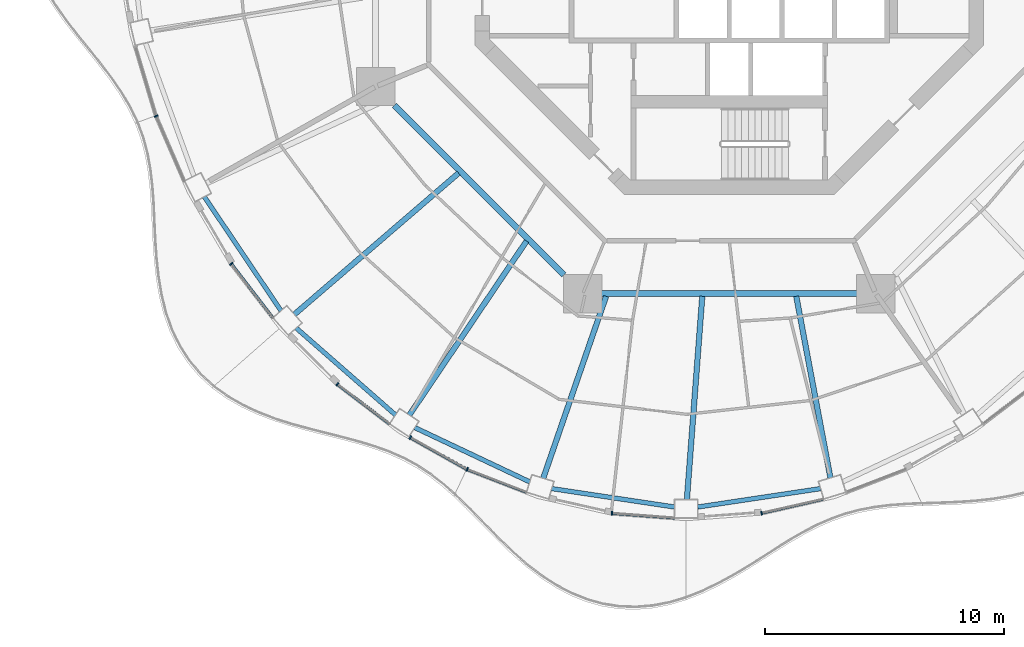
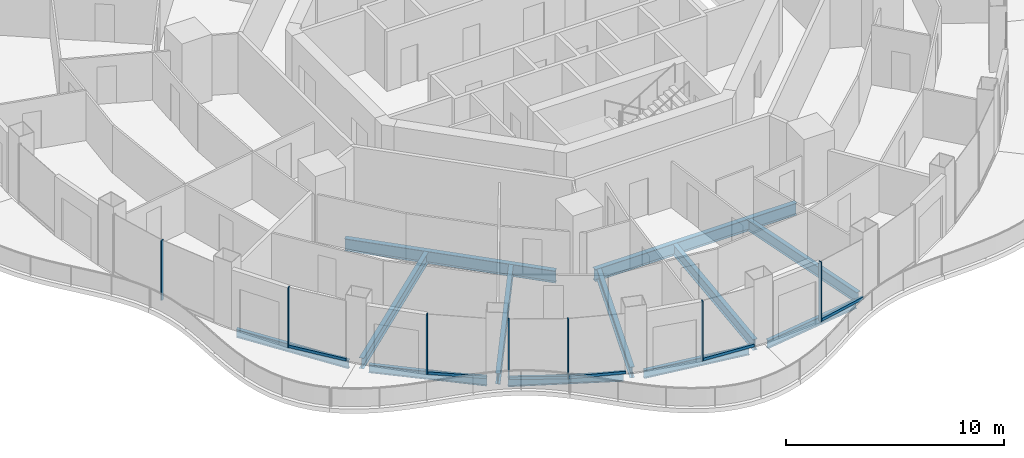
# One storey, part 2 of 18: 13 members, 12 beams, 7 elements without a shape of their own.
"""IFC4 building model written with IfcOpenShell, lengths in metres."""

from ifc_helpers import new_model, si_unit, direction, frame, origin, origin_2d, place, context, subcontext, project, spatial, rectangle, i_section, extrude, material, layer, layer_set, material_profile, profile_set, type_object, element, aggregate, save


model = new_model("IFC4")

# Units and contexts
model_context = context("Model", 3, precision=1e-05, world=origin(), true_north=direction((0.0, 1.0)))
body_context = subcontext(model_context, "Body", "Model", "MODEL_VIEW")
ifc_project = project(units=[si_unit("LENGTHUNIT", "METRE"), si_unit("AREAUNIT", "SQUARE_METRE"), si_unit("VOLUMEUNIT", "CUBIC_METRE"), si_unit("PLANEANGLEUNIT", "RADIAN"), si_unit("MASSUNIT", "GRAM", prefix="KILO")], contexts=[model_context])

# Site, building, storey
site_placement = place(None, origin())
site = spatial("IfcSite", under=ifc_project, at=site_placement, CompositionType="ELEMENT")
building_placement = place(site_placement, origin())
building = spatial("IfcBuilding", under=site, at=building_placement, Name="Nagisa Residences", CompositionType="ELEMENT")
storey_placement = place(building_placement, frame((0.0, 0.0, 249.199951171875)))
storey = spatial("IfcBuildingStorey", under=building, at=storey_placement, Name="L63", CompositionType="ELEMENT", Elevation=249.199951171875)

# Curtain wall, member
ifc_material_1 = material(Name="Concrete-coloured aluminium curtain wall system", Category="concrete")
ifc_layer = layer(ifc_material_1, 0.159912109375)
ifc_layer_set = layer_set([ifc_layer], Name="CW1 CURTAIN WALL")
curtain_wall_type = type_object("IfcCurtainWallType", Name="CW1 CURTAIN WALL", PredefinedType="NOTDEFINED", material=ifc_layer_set)
curtain_wall_1_placement = place(storey_placement, origin())
curtain_wall_1 = element("IfcCurtainWall", 1, at=curtain_wall_1_placement, inside=storey, type_object=curtain_wall_type, Name="cw:CW1:L63:27", PredefinedType="NOTDEFINED")
ifc_material_2 = material(Name="Concrete-coloured aluminium", Category="concrete")
ifc_material_profile_1 = material_profile(ifc_material_2, rectangle(XDim=0.159912109375, YDim=0.06005859375, at=origin_2d()), Name="CW1 MULLION 160x60")
ifc_profile_set_1 = profile_set([ifc_material_profile_1], Name="Concrete-coloured aluminium")
member_type_1 = type_object("IfcMemberType", Name="CW1 MULLION 160x60", PredefinedType="MULLION", material=ifc_profile_set_1)
member_1_placement = place(storey_placement, frame((-23.952392578125, -7.359619140625, 0.0), z_axis=(0.0, 0.0, 1.0), x_axis=(0.917543276295, 0.397635934147, 0.0)))
member_1 = element("IfcMember", 2, at=member_1_placement, type_object=member_type_1, Name="CW1 mullion", PredefinedType="MULLION", context=body_context, shape_type="SweptSolid", body=[
    extrude(rectangle(XDim=0.159912109375, YDim=0.06005859375, at=origin_2d()), origin(), (0.0, 0.0, 1.0), 3.35009765625),
])
aggregate(curtain_wall_1, [member_1])

curtain_wall_2_placement = place(storey_placement, origin())
curtain_wall_2 = element("IfcCurtainWall", 3, at=curtain_wall_2_placement, inside=storey, type_object=curtain_wall_type, Name="cw:CW1:L63:29", PredefinedType="NOTDEFINED")
member_2_placement = place(storey_placement, frame((-20.814453125, -13.53125, 0.0), z_axis=(0.0, 0.0, 1.0), x_axis=(0.792070340816, 0.610429828235, 0.0)))
member_2 = element("IfcMember", 4, at=member_2_placement, type_object=member_type_1, Name="CW1 mullion", PredefinedType="MULLION", context=body_context, shape_type="SweptSolid", body=[
    extrude(rectangle(XDim=0.159912109375, YDim=0.06005859375, at=origin_2d()), origin(), (0.0, 0.0, 1.0), 3.35009765625),
])

curtain_wall_3_placement = place(storey_placement, origin())
curtain_wall_3 = element("IfcCurtainWall", 5, at=curtain_wall_3_placement, inside=storey, type_object=curtain_wall_type, Name="cw:CW1:L63:31", PredefinedType="NOTDEFINED")
member_3_placement = place(storey_placement, frame((-16.380615234375, -18.566650390625, 0.0), z_axis=(0.0, 0.0, 1.0), x_axis=(0.605255421737, 0.79603132756, 0.0)))
member_3 = element("IfcMember", 6, at=member_3_placement, type_object=member_type_1, Name="CW1 mullion", PredefinedType="MULLION", context=body_context, shape_type="SweptSolid", body=[
    extrude(rectangle(XDim=0.159912109375, YDim=0.06005859375, at=origin_2d()), origin(), (0.0, 0.0, 1.0), 3.35009765625),
])

curtain_wall_4_placement = place(storey_placement, origin())
curtain_wall_4 = element("IfcCurtainWall", 7, at=curtain_wall_4_placement, inside=storey, type_object=curtain_wall_type, Name="cw:CW1:L63:32", PredefinedType="NOTDEFINED")
member_4_placement = place(storey_placement, frame((-13.333740234375, -20.792236328125, 0.0), z_axis=(0.0, 0.0, 1.0), x_axis=(0.489376918501, 0.872072377523, 0.0)))
member_4 = element("IfcMember", 8, at=member_4_placement, type_object=member_type_1, Name="CW1 mullion", PredefinedType="MULLION", context=body_context, shape_type="SweptSolid", body=[
    extrude(rectangle(XDim=0.159912109375, YDim=0.06005859375, at=origin_2d()), origin(), (0.0, 0.0, 1.0), 3.35009765625),
])

curtain_wall_5_placement = place(storey_placement, origin())
curtain_wall_5 = element("IfcCurtainWall", 9, at=curtain_wall_5_placement, inside=storey, type_object=curtain_wall_type, Name="cw:CW1:L63:33", PredefinedType="NOTDEFINED")
member_5_placement = place(storey_placement, frame((-10.954345703125, -22.12353515625, 0.0), z_axis=(0.0, 0.0, 1.0), x_axis=(0.360327770268, 0.932825759707, 0.0)))
member_5 = element("IfcMember", 10, at=member_5_placement, type_object=member_type_1, Name="CW1 mullion", PredefinedType="MULLION", context=body_context, shape_type="SweptSolid", body=[
    extrude(rectangle(XDim=0.159912109375, YDim=0.06005859375, at=origin_2d()), origin(), (0.0, 0.0, 1.0), 3.35009765625),
])

curtain_wall_6_placement = place(storey_placement, origin())
curtain_wall_6 = element("IfcCurtainWall", 11, at=curtain_wall_6_placement, inside=storey, type_object=curtain_wall_type, Name="cw:CW1:L63:35", PredefinedType="NOTDEFINED")
member_6_placement = place(storey_placement, frame((-4.906005859375, -23.96044921875, 0.0), z_axis=(0.0, 0.0, 1.0), x_axis=(0.074377355493, 0.997230168512, 0.0)))
member_6 = element("IfcMember", 12, at=member_6_placement, type_object=member_type_1, Name="CW1 mullion", PredefinedType="MULLION", context=body_context, shape_type="SweptSolid", body=[
    extrude(rectangle(XDim=0.159912109375, YDim=0.06005859375, at=origin_2d()), origin(), (0.0, 0.0, 1.0), 3.35009765625),
])

curtain_wall_7_placement = place(storey_placement, origin())
curtain_wall_7 = element("IfcCurtainWall", 13, at=curtain_wall_7_placement, inside=storey, type_object=curtain_wall_type, Name="cw:CW1:L63:37", PredefinedType="NOTDEFINED")
member_7_placement = place(storey_placement, frame((1.353271484375, -23.953369140625, 0.0), z_axis=(0.0, 0.0, 1.0), x_axis=(-0.2207639201, 0.975327274089, 0.0)))
member_7 = element("IfcMember", 14, at=member_7_placement, type_object=member_type_1, Name="CW1 mullion", PredefinedType="MULLION", context=body_context, shape_type="SweptSolid", body=[
    extrude(rectangle(XDim=0.159912109375, YDim=0.06005859375, at=origin_2d()), origin(), (0.0, 0.0, 1.0), 3.35009765625),
])

# Member
ifc_material_3 = material(Name="Concrete-coloured aluminium", Category="concrete")
ifc_material_profile_2 = material_profile(ifc_material_3, rectangle(XDim=0.1201171875, YDim=0.14990234375, at=origin_2d()), Name="CW1 TRANSOM 120x150")
ifc_profile_set_2 = profile_set([ifc_material_profile_2], Name="Concrete-coloured aluminium")
member_type_2 = type_object("IfcMemberType", Name="CW1 TRANSOM 120x150", PredefinedType="USERDEFINED", material=ifc_profile_set_2)
member_8_placement = place(storey_placement, frame((-20.832763671875, -13.507568359375, 0.074951171875), z_axis=(0.610438565676, -0.792063607001, 0.0), x_axis=(0.792063607001, 0.610438565676, 0.0)))
member_8 = element("IfcMember", 15, at=member_8_placement, type_object=member_type_2, Name="CW1 transom", ObjectType="TRANSOM", PredefinedType="USERDEFINED", context=body_context, shape_type="SweptSolid", body=[
    extrude(rectangle(XDim=0.1201171875, YDim=0.14990234375, at=origin_2d()), origin(), (0.0, 0.0, 1.0), 2.90087890625),
])

aggregate(curtain_wall_2, [member_2, member_8])

member_9_placement = place(storey_placement, frame((-16.404541015625, -18.548583984375, 0.074951171875), z_axis=(0.796064337132, -0.605212005124, 0.0), x_axis=(0.605212005124, 0.796064337132, 0.0)))
member_9 = element("IfcMember", 16, at=member_9_placement, type_object=member_type_2, Name="CW1 transom", ObjectType="TRANSOM", PredefinedType="USERDEFINED", context=body_context, shape_type="SweptSolid", body=[
    extrude(rectangle(XDim=0.1201171875, YDim=0.14990234375, at=origin_2d()), origin(), (0.0, 0.0, 1.0), 2.78857421875),
])

aggregate(curtain_wall_3, [member_3, member_9])

member_10_placement = place(storey_placement, frame((-13.35986328125, -20.777587890625, 0.074951171875), z_axis=(0.872063230277, -0.489393218586, 0.0), x_axis=(0.489393218586, 0.872063230277, 0.0)))
member_10 = element("IfcMember", 17, at=member_10_placement, type_object=member_type_2, Name="CW1 transom", ObjectType="TRANSOM", PredefinedType="USERDEFINED", context=body_context, shape_type="SweptSolid", body=[
    extrude(rectangle(XDim=0.1201171875, YDim=0.14990234375, at=origin_2d()), origin(), (0.0, 0.0, 1.0), 2.73828125),
])

aggregate(curtain_wall_4, [member_4, member_10])

member_11_placement = place(storey_placement, frame((-10.982421875, -22.11279296875, 0.074951171875), z_axis=(0.932838255163, -0.360295420044, 0.0), x_axis=(0.360295420044, 0.932838255163, 0.0)))
member_11 = element("IfcMember", 18, at=member_11_placement, type_object=member_type_2, Name="CW1 transom", ObjectType="TRANSOM", PredefinedType="USERDEFINED", context=body_context, shape_type="SweptSolid", body=[
    extrude(rectangle(XDim=0.1201171875, YDim=0.14990234375, at=origin_2d()), origin(), (0.0, 0.0, 1.0), 2.6962890625),
])

aggregate(curtain_wall_5, [member_5, member_11])

member_12_placement = place(storey_placement, frame((-4.935791015625, -23.958251953125, 0.074951171875), z_axis=(0.997233213085, -0.074336523458, 0.0), x_axis=(0.074336523458, 0.997233213085, 0.0)))
member_12 = element("IfcMember", 19, at=member_12_placement, type_object=member_type_2, Name="CW1 transom", ObjectType="TRANSOM", PredefinedType="USERDEFINED", context=body_context, shape_type="SweptSolid", body=[
    extrude(rectangle(XDim=0.1201171875, YDim=0.14990234375, at=origin_2d()), origin(), (0.0, 0.0, 1.0), 2.650390625),
])

aggregate(curtain_wall_6, [member_6, member_12])

member_13_placement = place(storey_placement, frame((1.32421875, -23.9599609375, 0.074951171875), z_axis=(0.975324089124, 0.220777990694, 0.0), x_axis=(-0.220777990694, 0.975324089124, 0.0)))
member_13 = element("IfcMember", 20, at=member_13_placement, type_object=member_type_2, Name="CW1 transom", ObjectType="TRANSOM", PredefinedType="USERDEFINED", context=body_context, shape_type="SweptSolid", body=[
    extrude(rectangle(XDim=0.1201171875, YDim=0.14990234375, at=origin_2d()), origin(), (0.0, 0.0, 1.0), 2.666015625),
])

aggregate(curtain_wall_7, [member_7, member_13])

# Beams
ifc_material_4 = material(Name="Steel ASTM A572 Gr 50", Category="steel")
ifc_material_profile_3 = material_profile(ifc_material_4, i_section(OverallWidth=0.2529296875, OverallDepth=0.677978515625, WebThickness=0.01171875, FlangeThickness=0.016357421875, at=origin_2d()), Name="W690x125")
ifc_profile_set_3 = profile_set([ifc_material_profile_3], Name="Steel ASTM A572 Gr 50")
beam_type_1 = type_object("IfcBeamType", Name="Inner ring beam W690x125", PredefinedType="BEAM", material=ifc_profile_set_3)
beam_1_placement = place(storey_placement, frame((-13.99609375, -6.90869140625, -0.598876953125), z_axis=(0.707106781187, -0.707106781187, 0.0), x_axis=(0.707106781187, 0.707106781187, 0.0)))
element("IfcBeam", 21, at=beam_1_placement, inside=storey, type_object=beam_type_1, Name="beam:L63:ib5", PredefinedType="BEAM", context=body_context, shape_type="SweptSolid", body=[
    extrude(i_section(OverallWidth=0.2529296875, OverallDepth=0.677978515625, WebThickness=0.01171875, FlangeThickness=0.016357421875, at=origin_2d()), origin(), (0.0, 0.0, 1.0), 10.023193359375),
])
beam_2_placement = place(storey_placement, frame((-5.343017578125, -14.781982421875, -0.598876953125), z_axis=(1.0, 0.0, 0.0), x_axis=(0.0, 1.0, 0.0)))
element("IfcBeam", 22, at=beam_2_placement, inside=storey, type_object=beam_type_1, Name="beam:L63:ib6", PredefinedType="BEAM", context=body_context, shape_type="SweptSolid", body=[
    extrude(i_section(OverallWidth=0.2529296875, OverallDepth=0.677978515625, WebThickness=0.01171875, FlangeThickness=0.016357421875, at=origin_2d()), origin(), (0.0, 0.0, 1.0), 10.68603515625),
])
ifc_material_5 = material(Name="Steel ASTM A572 Gr 50", Category="steel")
ifc_material_profile_4 = material_profile(ifc_material_5, i_section(OverallWidth=0.18994140625, OverallDepth=0.45703125, WebThickness=0.009033203125, FlangeThickness=0.014404296875, at=origin_2d()), Name="W460x74")
ifc_profile_set_4 = profile_set([ifc_material_profile_4], Name="Steel ASTM A572 Gr 50")
beam_type_2 = type_object("IfcBeamType", Name="Perimeter ring beam W460x74", PredefinedType="BEAM", material=ifc_profile_set_4)
beam_3_placement = place(storey_placement, frame((-21.942138671875, -10.728759765625, -0.488525390625), z_axis=(0.558079852096, -0.829787249049, 0.0), x_axis=(0.829787249049, 0.558079852096, 0.0)))
element("IfcBeam", 23, at=beam_3_placement, inside=storey, type_object=beam_type_2, Name="beam:L63:pb15", PredefinedType="BEAM", context=body_context, shape_type="SweptSolid", body=[
    extrude(i_section(OverallWidth=0.18994140625, OverallDepth=0.45703125, WebThickness=0.009033203125, FlangeThickness=0.014404296875, at=origin_2d()), origin(), (0.0, 0.0, 1.0), 5.743408203125),
])
beam_4_placement = place(storey_placement, frame((-18.10205078125, -16.21533203125, -0.488525390625), z_axis=(0.75242320672, -0.65867998147, 0.0), x_axis=(0.65867998147, 0.75242320672, 0.0)))
element("IfcBeam", 24, at=beam_4_placement, inside=storey, type_object=beam_type_2, Name="beam:L63:pb16", PredefinedType="BEAM", context=body_context, shape_type="SweptSolid", body=[
    extrude(i_section(OverallWidth=0.18994140625, OverallDepth=0.45703125, WebThickness=0.009033203125, FlangeThickness=0.014404296875, at=origin_2d()), origin(), (0.0, 0.0, 1.0), 5.5185546875),
])
beam_5_placement = place(storey_placement, frame((-13.146484375, -20.376953125, -0.488525390625), z_axis=(0.904133867308, -0.42724928319, 0.0), x_axis=(0.42724928319, 0.904133867308, 0.0)))
element("IfcBeam", 25, at=beam_5_placement, inside=storey, type_object=beam_type_2, Name="beam:L63:pb17", PredefinedType="BEAM", context=body_context, shape_type="SweptSolid", body=[
    extrude(i_section(OverallWidth=0.18994140625, OverallDepth=0.45703125, WebThickness=0.009033203125, FlangeThickness=0.014404296875, at=origin_2d()), origin(), (0.0, 0.0, 1.0), 5.317138671875),
])
for number, where, z_axis, x_axis, name in (
    (26, (-7.42041015625, -22.92822265625, -0.488525390625), (0.988909463745, -0.148519603133, 0.0), (0.148519603133, 0.988909463745, 0.0), "beam:L63:pb18"),
    (27, (-1.31982421875, -23.7001953125, -0.488525390625), (0.988909463745, 0.148519603133, 0.0), (-0.148519603133, 0.988909463745, 0.0), "beam:L63:pb19"),
):
    element("IfcBeam", number, at=place(storey_placement, frame(where, z_axis=z_axis, x_axis=x_axis)), inside=storey, type_object=beam_type_2, Name=name, PredefinedType="BEAM", context=body_context, shape_type="SweptSolid", body=[
        extrude(i_section(OverallWidth=0.18994140625, OverallDepth=0.45703125, WebThickness=0.009033203125, FlangeThickness=0.014404296875, at=origin_2d()), origin(), (0.0, 0.0, 1.0), 5.19775390625),
    ])
ifc_material_6 = material(Name="Steel ASTM A572 Gr 50", Category="steel")
ifc_material_profile_5 = material_profile(ifc_material_6, i_section(OverallWidth=0.22802734375, OverallDepth=0.60302734375, WebThickness=0.010498046875, FlangeThickness=0.014892578125, at=origin_2d()), Name="W610x101")
ifc_profile_set_5 = profile_set([ifc_material_profile_5], Name="Steel ASTM A572 Gr 50")
beam_type_3 = type_object("IfcBeamType", Name="Radial beam W610x101", PredefinedType="BEAM", material=ifc_profile_set_5)
beam_6_placement = place(storey_placement, frame((-18.178466796875, -15.6484375, -0.5615234375), z_axis=(0.7578828397, 0.652390681485, 0.0), x_axis=(-0.652390681485, 0.7578828397, 0.0)))
element("IfcBeam", 28, at=beam_6_placement, inside=storey, type_object=beam_type_3, Name="beam:L63:rb16", PredefinedType="BEAM", context=body_context, shape_type="SweptSolid", body=[
    extrude(i_section(OverallWidth=0.22802734375, OverallDepth=0.60302734375, WebThickness=0.010498046875, FlangeThickness=0.014892578125, at=origin_2d()), origin(), (0.0, 0.0, 1.0), 9.055908203125),
])
beam_7_placement = place(storey_placement, frame((-13.372802734375, -19.8544921875, -0.5615234375), z_axis=(0.558639079644, 0.829410862416, 0.0), x_axis=(-0.829410862416, 0.558639079644, 0.0)))
element("IfcBeam", 29, at=beam_7_placement, inside=storey, type_object=beam_type_3, Name="beam:L63:rb17", PredefinedType="BEAM", context=body_context, shape_type="SweptSolid", body=[
    extrude(i_section(OverallWidth=0.22802734375, OverallDepth=0.60302734375, WebThickness=0.010498046875, FlangeThickness=0.014892578125, at=origin_2d()), origin(), (0.0, 0.0, 1.0), 8.7685546875),
])
beam_8_placement = place(storey_placement, frame((-7.776123046875, -22.49658203125, -0.5615234375), z_axis=(0.32669171318, 0.945130956291, 0.0), x_axis=(-0.945130956291, 0.32669171318, 0.0)))
element("IfcBeam", 30, at=beam_8_placement, inside=storey, type_object=beam_type_3, Name="beam:L63:rb18", PredefinedType="BEAM", context=body_context, shape_type="SweptSolid", body=[
    extrude(i_section(OverallWidth=0.22802734375, OverallDepth=0.60302734375, WebThickness=0.010498046875, FlangeThickness=0.014892578125, at=origin_2d()), origin(), (0.0, 0.0, 1.0), 8.048583984375),
])
beam_9_placement = place(storey_placement, frame((-1.771240234375, -23.392333984375, -0.5615234375), z_axis=(0.075492377513, 0.997146378892, 0.0), x_axis=(-0.997146378892, 0.075492377513, 0.0)))
element("IfcBeam", 31, at=beam_9_placement, inside=storey, type_object=beam_type_3, Name="beam:L63:rb19", PredefinedType="BEAM", context=body_context, shape_type="SweptSolid", body=[
    extrude(i_section(OverallWidth=0.22802734375, OverallDepth=0.60302734375, WebThickness=0.010498046875, FlangeThickness=0.014892578125, at=origin_2d()), origin(), (0.0, 0.0, 1.0), 8.528076171875),
])
beam_10_placement = place(storey_placement, frame((4.229736328125, -22.480224609375, -0.5615234375), z_axis=(-0.184925861179, 0.982752474363, 0.0), x_axis=(-0.982752474363, -0.184925861179, 0.0)))
element("IfcBeam", 32, at=beam_10_placement, inside=storey, type_object=beam_type_3, Name="beam:L63:rb20", PredefinedType="BEAM", context=body_context, shape_type="SweptSolid", body=[
    extrude(i_section(OverallWidth=0.22802734375, OverallDepth=0.60302734375, WebThickness=0.010498046875, FlangeThickness=0.014892578125, at=origin_2d()), origin(), (0.0, 0.0, 1.0), 7.724609375),
])

save(model, "model.ifc")
